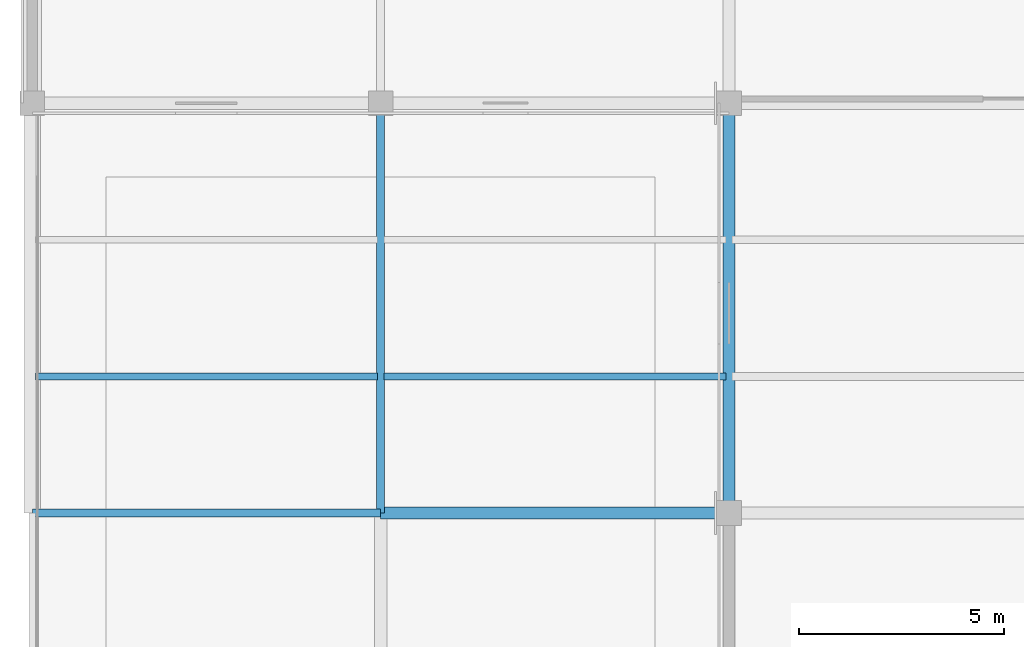
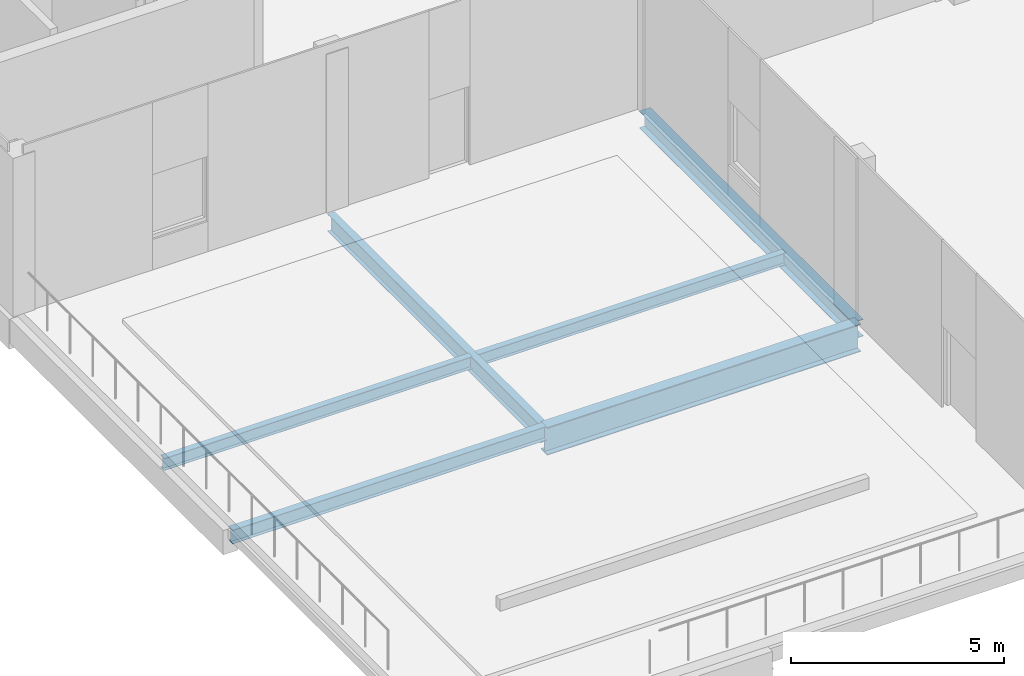
# One storey, part 7 of 46: 6 beams.
"""IFC4 building model written with IfcOpenShell, lengths in metres."""

import ifcopenshell
import ifcopenshell.guid

model = None  # the IFC model being written
_history = None  # IfcOwnerHistory: only IFC2X3 demands one
_inside = {}  # id of a spatial element -> (the spatial element, [elements in it])
_under = {}  # id of a project, library or spatial element -> (it, [spatial elements below it])
_declared = {}  # id of a project -> (the project, [libraries it declares])
_typed = {}  # id of a type object -> (the type object, [elements of that type])
_made_of = {}  # id of a material, layer set ... -> (it, [elements and type objects made of it])


def new_model(schema):
    """Start an empty IFC model of exactly this schema.

    Asked for "IFC4X3", IfcOpenShell would pick the latest addendum, in which some entities
    have other attributes; the version numbers below select the first issue.
    IFC2X3 requires an IfcOwnerHistory on every rooted entity: one is made here for all.
    """
    global model, _history
    if schema == "IFC4X3":
        model = ifcopenshell.file(schema_version=(4, 3, 0, 0))
    else:
        model = ifcopenshell.file(schema=schema)
    _inside.clear()
    _under.clear()
    _declared.clear()
    _typed.clear()
    _made_of.clear()
    _history = None
    if model.schema == "IFC2X3":
        org = make("IfcOrganization", Name="unknown")
        user = make(
            "IfcPersonAndOrganization",
            ThePerson=make("IfcPerson", FamilyName="unknown"),
            TheOrganization=org,
        )
        app = make(
            "IfcApplication",
            ApplicationDeveloper=org,
            Version="unknown",
            ApplicationFullName="unknown",
            ApplicationIdentifier="unknown",
        )
        _history = make(
            "IfcOwnerHistory",
            OwningUser=user,
            OwningApplication=app,
            ChangeAction="ADDED",
            CreationDate=0,
        )
    return model


def make(cls, **values):
    """One entity of the class cls with the attributes given. An attribute that is None is left unset."""
    return model.create_entity(
        cls, **{name: value for name, value in values.items() if value is not None}
    )


def rooted(cls, **values):
    """An entity with a GlobalId (a new one), such as an element, a storey or a relation."""
    return make(cls, GlobalId=ifcopenshell.guid.new(), OwnerHistory=_history, **values)


def si_unit(unit_type, name, prefix=None):
    """IfcSIUnit, for example si_unit("LENGTHUNIT", "METRE", prefix="MILLI")."""
    return make("IfcSIUnit", UnitType=unit_type, Prefix=prefix, Name=name)


def assignment(units):
    """IfcUnitAssignment: the units of a project."""
    return None if units is None else make("IfcUnitAssignment", Units=units)


def point(xyz):
    """IfcCartesianPoint."""
    return None if xyz is None else make("IfcCartesianPoint", Coordinates=xyz)


def direction(xyz):
    """IfcDirection."""
    return None if xyz is None else make("IfcDirection", DirectionRatios=xyz)


def frame(location, z_axis=None, x_axis=None):
    """IfcAxis2Placement3D, a coordinate frame: its origin and axes. An axis left out is left unset."""
    return make(
        "IfcAxis2Placement3D",
        Location=point(location),
        Axis=direction(z_axis),
        RefDirection=direction(x_axis),
    )


def frame_2d(location, x_axis=None):
    """IfcAxis2Placement2D, a coordinate frame in the plane: its origin and x axis."""
    return make(
        "IfcAxis2Placement2D", Location=point(location), RefDirection=direction(x_axis)
    )


def origin():
    """The frame at (0, 0, 0) with its axes left unset."""
    return frame((0.0, 0.0, 0.0))


def origin_2d():
    """The frame at (0, 0) in the plane with its x axis left unset."""
    return frame_2d((0.0, 0.0))


def place(relative_to, where):
    """IfcLocalPlacement: puts the frame where relative to a parent placement (None: the world)."""
    return make(
        "IfcLocalPlacement", PlacementRelTo=relative_to, RelativePlacement=where
    )


def context(
    kind, dimensions, precision=None, world=None, true_north=None, identifier=None
):
    """IfcGeometricRepresentationContext, for example the 3D "Model" context."""
    return make(
        "IfcGeometricRepresentationContext",
        ContextIdentifier=identifier,
        ContextType=kind,
        CoordinateSpaceDimension=dimensions,
        Precision=precision,
        WorldCoordinateSystem=world,
        TrueNorth=true_north,
    )


def subcontext(parent, identifier, kind, view, scale=None):
    """IfcGeometricRepresentationSubContext, for example "Body" below "Model"."""
    return make(
        "IfcGeometricRepresentationSubContext",
        ContextIdentifier=identifier,
        ContextType=kind,
        ParentContext=parent,
        TargetScale=scale,
        TargetView=view,
    )


def project(units=None, contexts=None):
    """IfcProject with its units and contexts."""
    return rooted(
        "IfcProject",
        Name="project",
        RepresentationContexts=contexts,
        UnitsInContext=assignment(units),
    )


def spatial(cls, under=None, at=None, **own):
    """A site, building, storey or space (cls), placed at a placement, below another one or the project."""
    s = rooted(cls, ObjectPlacement=at, **own)
    if under is not None:
        _under.setdefault(under.id(), (under, []))[1].append(s)
    return s


def profile(cls, at=None, kind="AREA", **sizes):
    """A parametric profile (cls). Its sizes go by their IFC names, for example OverallWidth=200.0."""
    return make(cls, ProfileType=kind, Position=at, **sizes)


def i_section(**sizes):
    """IfcIShapeProfileDef."""
    return profile("IfcIShapeProfileDef", **sizes)


def extrude(swept, where, along, depth):
    """IfcExtrudedAreaSolid: the profile swept, set in the frame where, extruded along a direction by depth."""
    return make(
        "IfcExtrudedAreaSolid",
        SweptArea=swept,
        Position=where,
        ExtrudedDirection=direction(along),
        Depth=depth,
    )


def shape(context_of_items, identifier, shape_type, items):
    """IfcShapeRepresentation: the items that make up one representation, for example the "Body"."""
    return make(
        "IfcShapeRepresentation",
        ContextOfItems=context_of_items,
        RepresentationIdentifier=identifier,
        RepresentationType=shape_type,
        Items=items,
    )


def material(Name=None, Category=None):
    """IfcMaterial."""
    return make("IfcMaterial", Name=Name, Category=Category)


def material_profile(
    of_material, cross_section, Name=None, Category=None, Priority=None
):
    """IfcMaterialProfile: a cross section and its material."""
    return make(
        "IfcMaterialProfile",
        Name=Name,
        Material=of_material,
        Profile=cross_section,
        Priority=Priority,
        Category=Category,
    )


def profile_set(profiles, Name=None, composite=None):
    """IfcMaterialProfileSet."""
    return make(
        "IfcMaterialProfileSet",
        Name=Name,
        MaterialProfiles=profiles,
        CompositeProfile=composite,
    )


def made_of(thing, what):
    """Note that an element or type object is made of a material, layer set ...; save() writes the relation."""
    if what is not None:
        _made_of.setdefault(what.id(), (what, []))[1].append(thing)
    return thing


def type_object(cls, material=None, **own):
    """A type object (cls), such as IfcWallType, which elements share."""
    return made_of(rooted(cls, **own), material)


def element(
    cls,
    number,
    at=None,
    inside=None,
    cuts=None,
    type_object=None,
    material=None,
    context=None,
    identifier="Body",
    shape_type=None,
    held_by="IfcProductDefinitionShape",
    body=None,
    shapes=None,
    **own,
):
    """One element of the class cls, such as IfcWall. Its Tag is "e" and its number.

    at: its placement. inside: the storey or other place that contains it. cuts: it is an
    opening in that element (IfcRelVoidsElement). A single representation is given by context,
    identifier, shape_type and body (its items); several are given by shapes. held_by: the class
    of the entity that holds the representations. save() writes the other relations.
    """
    e = rooted(cls, Tag="e%d" % number, ObjectPlacement=at, **own)
    if body is not None:
        shapes = [shape(context, identifier, shape_type, body)]
    if shapes is not None:
        e.Representation = make(held_by, Representations=shapes)
    if inside is not None:
        _inside.setdefault(inside.id(), (inside, []))[1].append(e)
    if cuts is not None:
        rooted(
            "IfcRelVoidsElement", RelatingBuildingElement=cuts, RelatedOpeningElement=e
        )
    if type_object is not None:
        _typed.setdefault(type_object.id(), (type_object, []))[1].append(e)
    return made_of(e, material)


def aggregate(whole, parts):
    """IfcRelAggregates: a whole, such as a stair, and the parts it consists of."""
    return rooted("IfcRelAggregates", RelatingObject=whole, RelatedObjects=parts)


def save(model, path):
    """Write the relations noted so far, then the file.

    IfcRelAggregates (storeys below a building ...), IfcRelContainedInSpatialStructure (elements
    in a storey), IfcRelDefinesByType, IfcRelAssociatesMaterial and IfcRelDeclares: one each for
    every whole, place, type object, material and project.
    """
    for whole, parts in _under.values():
        aggregate(whole, parts)
    for where, things in _inside.values():
        rooted(
            "IfcRelContainedInSpatialStructure",
            RelatedElements=things,
            RelatingStructure=where,
        )
    for kind, things in _typed.values():
        rooted("IfcRelDefinesByType", RelatedObjects=things, RelatingType=kind)
    for what, things in _made_of.values():
        rooted("IfcRelAssociatesMaterial", RelatedObjects=things, RelatingMaterial=what)
    for by, libraries in _declared.values():
        rooted("IfcRelDeclares", RelatingContext=by, RelatedDefinitions=libraries)
    model.write(path)


model = new_model("IFC4")

# Units and contexts
model_context = context("Model", 3, precision=1e-05, world=origin(), true_north=direction((0.0, 1.0)))
body_context = subcontext(model_context, "Body", "Model", "MODEL_VIEW")
ifc_project = project(units=[si_unit("LENGTHUNIT", "METRE"), si_unit("AREAUNIT", "SQUARE_METRE"), si_unit("VOLUMEUNIT", "CUBIC_METRE"), si_unit("PLANEANGLEUNIT", "RADIAN"), si_unit("MASSUNIT", "GRAM", prefix="KILO")], contexts=[model_context])

# Site, building, storey
site_placement = place(None, origin())
site = spatial("IfcSite", under=ifc_project, at=site_placement, CompositionType="ELEMENT")
building_placement = place(site_placement, origin())
building = spatial("IfcBuilding", under=site, at=building_placement, Name="Solvikara Media Centre", CompositionType="ELEMENT")
storey_placement = place(building_placement, frame((0.0, 0.0, 24.60009765625)))
storey = spatial("IfcBuildingStorey", under=building, at=storey_placement, Name="L05", CompositionType="ELEMENT", Elevation=24.60009765625)

# Beams
ifc_material = material(Name="Steel S355JR", Category="steel")
ifc_material_profile_1 = material_profile(ifc_material, i_section(OverallWidth=0.300048828125, OverallDepth=0.800048828125, WebThickness=0.013916015625, FlangeThickness=0.02587890625, at=origin_2d()), Name="WF 800x300x14x26")
ifc_profile_set_1 = profile_set([ifc_material_profile_1], Name="Steel S355JR")
beam_type_1 = type_object("IfcBeamType", Name="BM-16", PredefinedType="BEAM", material=ifc_profile_set_1)
beam_1_placement = place(storey_placement, frame((42.5, 10.5, -0.672119140625), z_axis=(1.0, 0.0, 0.0), x_axis=(0.0, 1.0, 0.0)))
element("IfcBeam", 1, at=beam_1_placement, inside=storey, type_object=beam_type_1, Name="B-L05-X1639", PredefinedType="BEAM", context=body_context, shape_type="SweptSolid", body=[
    extrude(i_section(OverallWidth=0.300048828125, OverallDepth=0.800048828125, WebThickness=0.013916015625, FlangeThickness=0.02587890625, at=origin_2d()), origin(), (0.0, 0.0, 1.0), 8.5),
])
ifc_material_profile_2 = material_profile(ifc_material, i_section(OverallWidth=0.199951171875, OverallDepth=0.5, WebThickness=0.010009765625, FlangeThickness=0.01611328125, at=origin_2d()), Name="WF 500x200x10x16")
ifc_profile_set_2 = profile_set([ifc_material_profile_2], Name="Steel S355JR")
beam_type_2 = type_object("IfcBeamType", Name="BM-19", PredefinedType="BEAM", material=ifc_profile_set_2)
beam_2_placement = place(storey_placement, frame((42.5, 10.5, -0.522216796875), z_axis=(0.0, 1.0, 0.0), x_axis=(-1.0, 0.0, 0.0)))
element("IfcBeam", 2, at=beam_2_placement, inside=storey, type_object=beam_type_2, Name="B-L05-Y1655", PredefinedType="BEAM", context=body_context, shape_type="SweptSolid", body=[
    extrude(i_section(OverallWidth=0.199951171875, OverallDepth=0.5, WebThickness=0.010009765625, FlangeThickness=0.01611328125, at=origin_2d()), origin(), (0.0, 0.0, 1.0), 10.0),
])
ifc_material_profile_3 = material_profile(ifc_material, i_section(OverallWidth=0.175048828125, OverallDepth=0.35009765625, WebThickness=0.007080078125, FlangeThickness=0.010986328125, at=origin_2d()), Name="WF 350x175x7x11")
ifc_profile_set_3 = profile_set([ifc_material_profile_3], Name="Steel S355JR")
beam_type_3 = type_object("IfcBeamType", Name="BM-22", PredefinedType="JOIST", material=ifc_profile_set_3)
beam_3_placement = place(storey_placement, frame((34.077880859375, 13.8330078125, -0.447021484375), z_axis=(1.0, 0.0, 0.0), x_axis=(0.0, 1.0, 0.0)))
element("IfcBeam", 3, at=beam_3_placement, inside=storey, type_object=beam_type_3, Name="J-L05-1674", PredefinedType="JOIST", context=body_context, shape_type="SweptSolid", body=[
    extrude(i_section(OverallWidth=0.175048828125, OverallDepth=0.35009765625, WebThickness=0.007080078125, FlangeThickness=0.010986328125, at=origin_2d()), origin(), (0.0, 0.0, 1.0), 8.34423828125),
])
ifc_material_profile_4 = material_profile(ifc_material, i_section(OverallWidth=0.300048828125, OverallDepth=0.488037109375, WebThickness=0.010986328125, FlangeThickness=0.01806640625, at=origin_2d()), Name="H 488x300x11x18")
ifc_profile_set_4 = profile_set([ifc_material_profile_4], Name="Steel S355JR")
beam_type_4 = type_object("IfcBeamType", Name="BM-27", PredefinedType="BEAM", material=ifc_profile_set_4)
beam_4_placement = place(storey_placement, frame((51.0, 10.5, -0.526123046875), z_axis=(0.0, 1.0, 0.0), x_axis=(-1.0, 0.0, 0.0)))
element("IfcBeam", 4, at=beam_4_placement, inside=storey, type_object=beam_type_4, Name="B-L05-Y1659", PredefinedType="BEAM", context=body_context, shape_type="SweptSolid", body=[
    extrude(i_section(OverallWidth=0.300048828125, OverallDepth=0.488037109375, WebThickness=0.010986328125, FlangeThickness=0.01806640625, at=origin_2d()), origin(), (0.0, 0.0, 1.0), 10.0),
])
ifc_material_profile_5 = material_profile(ifc_material, i_section(OverallWidth=0.174072265625, OverallDepth=0.345947265625, WebThickness=0.006103515625, FlangeThickness=0.009033203125, at=origin_2d()), Name="WF 346x174x6x9")
ifc_profile_set_5 = profile_set([ifc_material_profile_5], Name="Steel S355JR")
beam_type_5 = type_object("IfcBeamType", Name="BM-38", PredefinedType="JOIST", material=ifc_profile_set_5)
beam_5_placement = place(storey_placement, frame((42.577880859375, 13.8330078125, -0.445068359375), z_axis=(1.0, 0.0, 0.0), x_axis=(0.0, 1.0, 0.0)))
element("IfcBeam", 5, at=beam_5_placement, inside=storey, type_object=beam_type_5, Name="J-L05-1678", PredefinedType="JOIST", context=body_context, shape_type="SweptSolid", body=[
    extrude(i_section(OverallWidth=0.174072265625, OverallDepth=0.345947265625, WebThickness=0.006103515625, FlangeThickness=0.009033203125, at=origin_2d()), origin(), (0.0, 0.0, 1.0), 8.34423828125),
])
ifc_material_profile_6 = material_profile(ifc_material, i_section(OverallWidth=0.198974609375, OverallDepth=0.39599609375, WebThickness=0.007080078125, FlangeThickness=0.010986328125, at=origin_2d()), Name="H 396x199x7x11")
ifc_profile_set_6 = profile_set([ifc_material_profile_6], Name="Steel S355JR")
beam_type_6 = type_object("IfcBeamType", Name="BM-44", PredefinedType="BEAM", material=ifc_profile_set_6)
beam_6_placement = place(storey_placement, frame((34.0, 10.5, -0.47021484375), z_axis=(1.0, 0.0, 0.0), x_axis=(0.0, 1.0, 0.0)))
element("IfcBeam", 6, at=beam_6_placement, inside=storey, type_object=beam_type_6, Name="B-L05-X1638", PredefinedType="BEAM", context=body_context, shape_type="SweptSolid", body=[
    extrude(i_section(OverallWidth=0.198974609375, OverallDepth=0.39599609375, WebThickness=0.007080078125, FlangeThickness=0.010986328125, at=origin_2d()), origin(), (0.0, 0.0, 1.0), 8.5),
])

save(model, "model.ifc")
